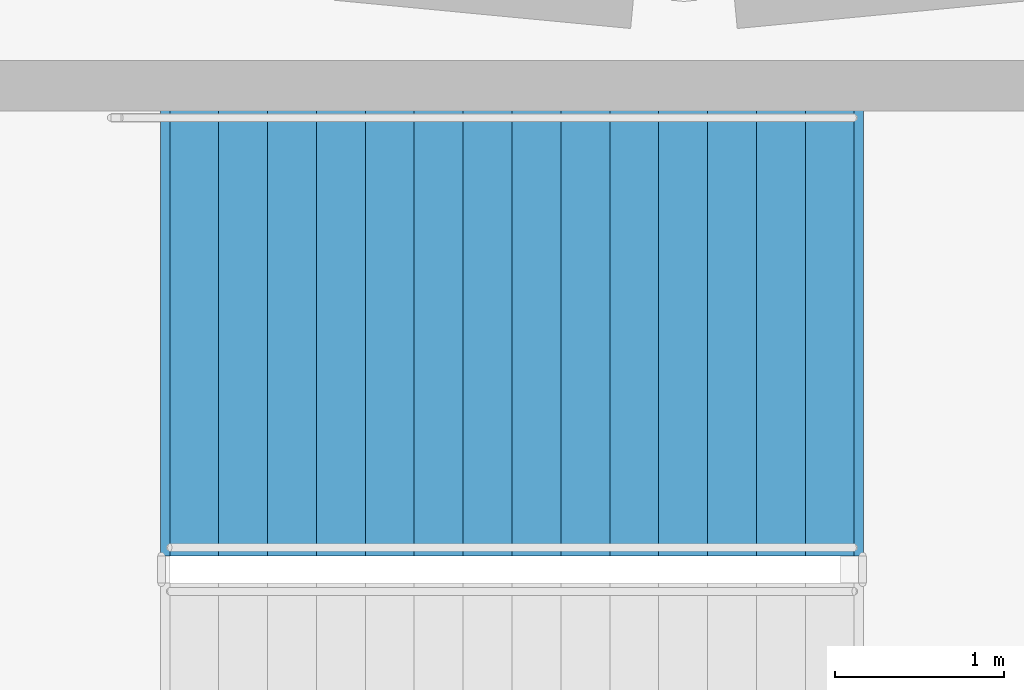
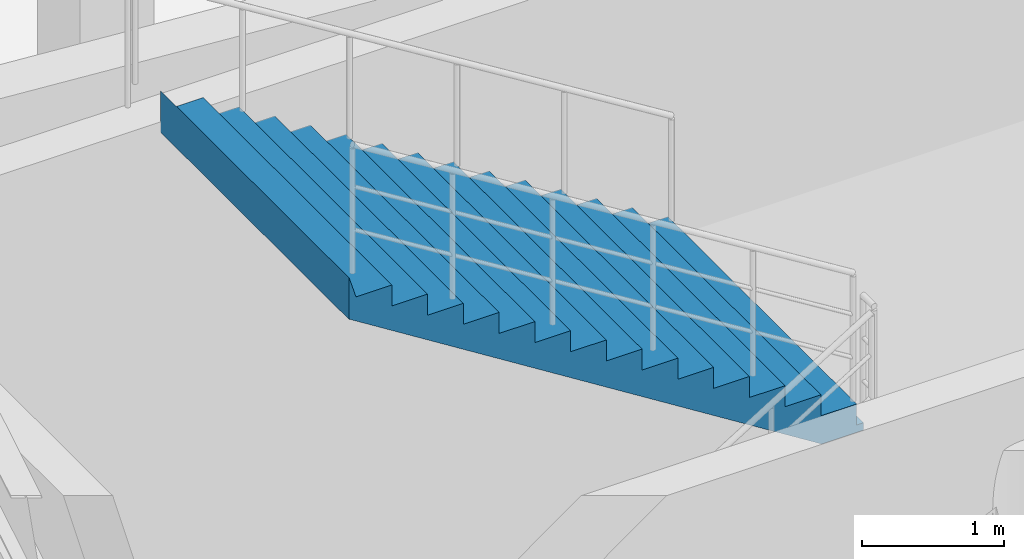
# One storey, part 67 of 93: 1 stair flight, 1 element without a shape of its own.
"""IFC4 building model written with IfcOpenShell, lengths in metres."""

from ifc_helpers import new_model, si_unit, direction, frame, origin, place, context, subcontext, project, spatial, polyline, outline, extrude, material, type_object, element, aggregate, save


model = new_model("IFC4")

# Units and contexts
model_context = context("Model", 3, precision=1e-05, world=origin(), true_north=direction((0.0, 1.0)))
body_context = subcontext(model_context, "Body", "Model", "MODEL_VIEW")
ifc_project = project(units=[si_unit("LENGTHUNIT", "METRE"), si_unit("AREAUNIT", "SQUARE_METRE"), si_unit("VOLUMEUNIT", "CUBIC_METRE"), si_unit("PLANEANGLEUNIT", "RADIAN"), si_unit("MASSUNIT", "GRAM", prefix="KILO")], contexts=[model_context])

# Site, building, storey
site_placement = place(None, origin())
site = spatial("IfcSite", under=ifc_project, at=site_placement, CompositionType="ELEMENT")
building_placement = place(site_placement, origin())
building = spatial("IfcBuilding", under=site, at=building_placement, Name="Cinderbank Siding Concert Hall", CompositionType="ELEMENT")
storey_placement = place(building_placement, origin())
storey = spatial("IfcBuildingStorey", under=building, at=storey_placement, Name="L01", CompositionType="ELEMENT", Elevation=0.0)

# Stair, stair flight
ifc_material = material(Name="Reinforced concrete AS 3600 N50 (50 MPa)", Category="concrete")
stair_type = type_object("IfcStairType", Name="STR-A Dogleg Exit Stair 2650mm", PredefinedType="HALF_TURN_STAIR", material=ifc_material)
stair_placement = place(storey_placement, origin())
stair = element("IfcStair", 1, at=stair_placement, inside=storey, type_object=stair_type, Name="L01 Fire-isolated Exit Stair ST-02", PredefinedType="HALF_TURN_STAIR")
stair_flight_type = type_object("IfcStairFlightType", Name="SFL-A Concrete Stair Flight 2650mm", PredefinedType="STRAIGHT", material=ifc_material)
stair_flight_placement = place(storey_placement, frame((123.010009765625, 27.8349609375, 2.699951171875), z_axis=(0.0, 0.0, 1.0), x_axis=(-1.0, 0.0, 0.0)))
stair_flight = element("IfcStairFlight", 2, at=stair_flight_placement, type_object=stair_flight_type, Name="ST-02 flight 2", NumberOfRisers=15, NumberOfTreads=14, PredefinedType="STRAIGHT", RiserHeight=0.18, TreadLength=0.29, context=body_context, shape_type="SweptSolid", body=[
    extrude(outline(polyline([(0.0, 0.0), (0.0, 0.179931640625), (0.2900390625, 0.179931640625), (0.2900390625, 0.360107421875), (0.580078125, 0.360107421875), (0.580078125, 0.5400390625), (0.8701171875, 0.5400390625), (0.8701171875, 0.719970703125), (1.159912109375, 0.719970703125), (1.159912109375, 0.89990234375), (1.449951171875, 0.89990234375), (1.449951171875, 1.080078125), (1.739990234375, 1.080078125), (1.739990234375, 1.260009765625), (2.030029296875, 1.260009765625), (2.030029296875, 1.43994140625), (2.320068359375, 1.43994140625), (2.320068359375, 1.6201171875), (2.610107421875, 1.6201171875), (2.610107421875, 1.800048828125), (2.89990234375, 1.800048828125), (2.89990234375, 1.97998046875), (3.18994140625, 1.97998046875), (3.18994140625, 2.159912109375), (3.47998046875, 2.159912109375), (3.47998046875, 2.340087890625), (3.77001953125, 2.340087890625), (3.77001953125, 2.52001953125), (4.06005859375, 2.52001953125), (4.114990234375, 2.699951171875), (4.114990234375, 2.343505859375), (4.11474609375, 2.34375), (4.11474609375, 2.343994140625), (4.11474609375, 2.34423828125), (4.11474609375, 2.344482421875), (4.11474609375, 2.3447265625), (4.11474609375, 2.344970703125), (4.11474609375, 2.34521484375), (4.11474609375, 2.345458984375), (4.11474609375, 2.345703125), (4.11474609375, 2.345947265625), (4.11474609375, 2.34619140625), (4.11474609375, 2.346435546875), (4.114501953125, 2.346435546875), (4.114501953125, 2.34619140625), (4.114501953125, 2.345947265625), (4.114501953125, 2.345703125), (4.114501953125, 2.345458984375), (4.114501953125, 2.34521484375), (4.114501953125, 2.344970703125), (4.114501953125, 2.3447265625), (4.114501953125, 2.344482421875), (4.114501953125, 2.34423828125), (4.114501953125, 2.343994140625), (4.114501953125, 2.34375), (4.114501953125, 2.343505859375), (4.1142578125, 2.34375), (4.1142578125, 2.343994140625), (4.1142578125, 2.34423828125), (4.1142578125, 2.344482421875), (4.1142578125, 2.3447265625), (4.1142578125, 2.344970703125), (4.1142578125, 2.34521484375), (4.1142578125, 2.345458984375), (4.1142578125, 2.345703125), (4.1142578125, 2.345947265625), (4.1142578125, 2.34619140625), (4.1142578125, 2.346435546875), (4.114013671875, 2.346435546875), (4.114013671875, 2.34619140625), (4.114013671875, 2.345947265625), (4.114013671875, 2.345703125), (4.114013671875, 2.345458984375), (4.114013671875, 2.34521484375), (4.114013671875, 2.344970703125), (4.114013671875, 2.3447265625), (4.114013671875, 2.344482421875), (4.114013671875, 2.34423828125), (4.114013671875, 2.343994140625), (4.114013671875, 2.34375), (4.114013671875, 2.343505859375), (4.11376953125, 2.34375), (4.11376953125, 2.343994140625), (4.11376953125, 2.34423828125), (4.11376953125, 2.344482421875), (4.11376953125, 2.3447265625), (4.11376953125, 2.344970703125), (4.11376953125, 2.34521484375), (4.11376953125, 2.345458984375), (4.11376953125, 2.345703125), (4.11376953125, 2.345947265625), (4.11376953125, 2.34619140625), (4.11376953125, 2.346435546875), (4.113525390625, 2.346435546875), (4.113525390625, 2.34619140625), (4.113525390625, 2.345947265625), (4.113525390625, 2.345703125), (4.113525390625, 2.345458984375), (4.113525390625, 2.34521484375), (4.113525390625, 2.344970703125), (4.113525390625, 2.3447265625), (4.113525390625, 2.344482421875), (4.113525390625, 2.34423828125), (4.113525390625, 2.343994140625), (4.113525390625, 2.34375), (4.113525390625, 2.343505859375), (4.11328125, 2.34375), (4.11328125, 2.343994140625), (4.11328125, 2.34423828125), (4.11328125, 2.344482421875), (4.11328125, 2.3447265625), (4.11328125, 2.344970703125), (4.11328125, 2.34521484375), (4.11328125, 2.345458984375), (4.11328125, 2.345703125), (4.11328125, 2.345947265625), (4.11328125, 2.34619140625), (4.11328125, 2.346435546875), (4.113037109375, 2.346435546875), (4.113037109375, 2.34619140625), (4.113037109375, 2.345947265625), (4.113037109375, 2.345703125), (4.113037109375, 2.345458984375), (4.113037109375, 2.34521484375), (4.113037109375, 2.344970703125), (4.113037109375, 2.3447265625), (4.113037109375, 2.344482421875), (4.113037109375, 2.34423828125), (4.113037109375, 2.343994140625), (4.113037109375, 2.34375), (4.113037109375, 2.343505859375), (4.11279296875, 2.34375), (4.11279296875, 2.343994140625), (4.11279296875, 2.34423828125), (4.11279296875, 2.344482421875), (4.11279296875, 2.3447265625), (4.11279296875, 2.344970703125), (4.11279296875, 2.34521484375), (4.11279296875, 2.345458984375), (4.11279296875, 2.345703125), (4.11279296875, 2.345947265625), (4.11279296875, 2.34619140625), (4.11279296875, 2.346435546875), (4.112548828125, 2.346435546875), (4.112548828125, 2.34619140625), (4.112548828125, 2.345947265625), (4.112548828125, 2.345703125), (4.112548828125, 2.345458984375), (4.112548828125, 2.34521484375), (4.112548828125, 2.344970703125), (4.112548828125, 2.3447265625), (4.112548828125, 2.344482421875), (4.112548828125, 2.34423828125), (4.112548828125, 2.343994140625), (4.112548828125, 2.34375), (4.112548828125, 2.343505859375), (4.1123046875, 2.34375), (4.1123046875, 2.343994140625), (4.1123046875, 2.34423828125), (4.1123046875, 2.344482421875), (4.1123046875, 2.3447265625), (4.1123046875, 2.344970703125), (4.1123046875, 2.34521484375), (4.1123046875, 2.345458984375), (4.1123046875, 2.345703125), (4.1123046875, 2.345947265625), (4.1123046875, 2.34619140625), (4.1123046875, 2.346435546875), (4.112060546875, 2.346435546875), (4.112060546875, 2.34619140625), (4.112060546875, 2.345947265625), (4.112060546875, 2.345703125), (4.112060546875, 2.345458984375), (4.112060546875, 2.34521484375), (4.112060546875, 2.344970703125), (4.112060546875, 2.3447265625), (4.112060546875, 2.344482421875), (4.112060546875, 2.34423828125), (4.112060546875, 2.343994140625), (4.112060546875, 2.34375), (4.112060546875, 2.343505859375), (4.11181640625, 2.34375), (4.11181640625, 2.343994140625), (4.11181640625, 2.34423828125), (4.11181640625, 2.344482421875), (4.11181640625, 2.3447265625), (4.11181640625, 2.344970703125), (4.11181640625, 2.34521484375), (4.11181640625, 2.345458984375), (4.11181640625, 2.345703125), (4.11181640625, 2.345947265625), (4.11181640625, 2.34619140625), (4.11181640625, 2.346435546875), (4.111572265625, 2.346435546875), (4.111572265625, 2.34619140625), (4.111572265625, 2.345947265625), (4.111572265625, 2.345703125), (4.111572265625, 2.345458984375), (4.111572265625, 2.34521484375), (4.111572265625, 2.344970703125), (4.111572265625, 2.3447265625), (4.111572265625, 2.344482421875), (4.111572265625, 2.34423828125), (4.111572265625, 2.343994140625), (4.111572265625, 2.34375), (4.111572265625, 2.343505859375), (4.111328125, 2.34375), (4.111328125, 2.343994140625), (4.111328125, 2.34423828125), (4.111328125, 2.344482421875), (4.111328125, 2.3447265625), (4.111328125, 2.344970703125), (4.111328125, 2.34521484375), (4.111328125, 2.345458984375), (4.111328125, 2.345703125), (4.111328125, 2.345947265625), (4.111328125, 2.34619140625), (4.111328125, 2.346435546875), (4.111083984375, 2.346435546875), (4.111083984375, 2.34619140625), (4.111083984375, 2.345947265625), (4.111083984375, 2.345703125), (4.111083984375, 2.345458984375), (4.111083984375, 2.34521484375), (4.111083984375, 2.344970703125), (4.111083984375, 2.3447265625), (4.111083984375, 2.344482421875), (4.111083984375, 2.34423828125), (4.111083984375, 2.343994140625), (4.111083984375, 2.34375), (4.111083984375, 2.343505859375), (4.11083984375, 2.34375), (4.11083984375, 2.343994140625), (4.11083984375, 2.34423828125), (4.11083984375, 2.344482421875), (4.11083984375, 2.3447265625), (4.11083984375, 2.344970703125), (4.11083984375, 2.34521484375), (4.11083984375, 2.345458984375), (4.11083984375, 2.345703125), (4.11083984375, 2.345947265625), (4.11083984375, 2.34619140625), (4.11083984375, 2.346435546875), (4.110595703125, 2.346435546875), (4.110595703125, 2.34619140625), (4.110595703125, 2.345947265625), (4.110595703125, 2.345703125), (4.110595703125, 2.345458984375), (4.110595703125, 2.34521484375), (4.110595703125, 2.344970703125), (4.110595703125, 2.3447265625), (4.110595703125, 2.344482421875), (4.110595703125, 2.34423828125), (4.110595703125, 2.343994140625), (4.110595703125, 2.34375), (4.110595703125, 2.343505859375), (4.1103515625, 2.34375), (4.1103515625, 2.343994140625), (4.1103515625, 2.34423828125), (4.1103515625, 2.344482421875), (4.1103515625, 2.3447265625), (4.1103515625, 2.344970703125), (4.1103515625, 2.34521484375), (4.1103515625, 2.345458984375), (4.1103515625, 2.345703125), (4.1103515625, 2.345947265625), (4.1103515625, 2.34619140625), (4.1103515625, 2.346435546875), (4.110107421875, 2.346435546875), (4.110107421875, 2.34619140625), (4.110107421875, 2.345947265625), (4.110107421875, 2.345703125), (4.110107421875, 2.345458984375), (4.110107421875, 2.34521484375), (4.110107421875, 2.344970703125), (4.110107421875, 2.3447265625), (4.110107421875, 2.344482421875), (4.110107421875, 2.34423828125), (4.110107421875, 2.343994140625), (4.110107421875, 2.34375), (4.110107421875, 2.343505859375), (4.10986328125, 2.34375), (4.10986328125, 2.343994140625), (4.10986328125, 2.34423828125), (4.10986328125, 2.344482421875), (4.10986328125, 2.3447265625), (4.10986328125, 2.344970703125), (4.10986328125, 2.34521484375), (4.10986328125, 2.345458984375), (4.10986328125, 2.345703125), (4.10986328125, 2.345947265625), (4.10986328125, 2.34619140625), (4.10986328125, 2.346435546875), (4.109619140625, 2.346435546875), (4.109619140625, 2.34619140625), (4.109619140625, 2.345947265625), (4.109619140625, 2.345703125), (4.109619140625, 2.345458984375), (4.109619140625, 2.34521484375), (4.109619140625, 2.344970703125), (4.109619140625, 2.3447265625), (4.109619140625, 2.344482421875), (4.109619140625, 2.34423828125), (4.109619140625, 2.343994140625), (4.109619140625, 2.34375), (4.109619140625, 2.343505859375), (4.109375, 2.34375), (4.109375, 2.343994140625), (4.109375, 2.34423828125), (4.109375, 2.344482421875), (4.109375, 2.3447265625), (4.109375, 2.344970703125), (4.109375, 2.34521484375), (4.109375, 2.345458984375), (4.109375, 2.345703125), (4.109375, 2.345947265625), (4.109375, 2.34619140625), (4.109375, 2.346435546875), (4.109130859375, 2.346435546875), (4.109130859375, 2.34619140625), (4.109130859375, 2.345947265625), (4.109130859375, 2.345703125), (4.109130859375, 2.345458984375), (4.109130859375, 2.34521484375), (4.109130859375, 2.344970703125), (4.109130859375, 2.3447265625), (4.109130859375, 2.344482421875), (4.109130859375, 2.34423828125), (4.109130859375, 2.343994140625), (4.109130859375, 2.34375), (4.109130859375, 2.343505859375), (4.10888671875, 2.34375), (4.10888671875, 2.343994140625), (4.10888671875, 2.34423828125), (4.10888671875, 2.344482421875), (4.10888671875, 2.3447265625), (4.10888671875, 2.344970703125), (4.10888671875, 2.34521484375), (4.10888671875, 2.345458984375), (4.10888671875, 2.345703125), (4.10888671875, 2.345947265625), (4.10888671875, 2.34619140625), (4.10888671875, 2.346435546875), (4.108642578125, 2.346435546875), (4.108642578125, 2.34619140625), (4.108642578125, 2.345947265625), (4.108642578125, 2.345703125), (4.108642578125, 2.345458984375), (4.108642578125, 2.34521484375), (4.108642578125, 2.344970703125), (4.108642578125, 2.3447265625), (4.108642578125, 2.344482421875), (4.108642578125, 2.34423828125), (4.108642578125, 2.343994140625), (4.108642578125, 2.34375), (4.108642578125, 2.343505859375), (0.2841796875, -0.06396484375), (-0.048583984375, -0.063720703125), (-0.048583984375, -0.0634765625), (-0.048583984375, -0.063232421875), (-0.048583984375, -0.06298828125), (-0.048583984375, -0.062744140625), (-0.048583984375, -0.0625), (-0.048583984375, -0.062255859375), (-0.048583984375, -0.06201171875), (-0.048583984375, -0.061767578125), (-0.048583984375, -0.0615234375), (-0.048583984375, -0.061279296875), (-0.048583984375, -0.06103515625), (-0.048828125, -0.06103515625), (-0.048828125, -0.061279296875), (-0.048828125, -0.0615234375), (-0.048828125, -0.061767578125), (-0.048828125, -0.06201171875), (-0.048828125, -0.062255859375), (-0.048828125, -0.0625), (-0.048828125, -0.062744140625), (-0.048828125, -0.06298828125), (-0.048828125, -0.063232421875), (-0.048828125, -0.0634765625), (-0.048828125, -0.063720703125), (-0.048828125, -0.06396484375), (-0.049072265625, -0.063720703125), (-0.049072265625, -0.0634765625), (-0.049072265625, -0.063232421875), (-0.049072265625, -0.06298828125), (-0.049072265625, -0.062744140625), (-0.049072265625, -0.0625), (-0.049072265625, -0.062255859375), (-0.049072265625, -0.06201171875), (-0.049072265625, -0.061767578125), (-0.049072265625, -0.0615234375), (-0.049072265625, -0.061279296875), (-0.049072265625, -0.06103515625), (-0.04931640625, -0.06103515625), (-0.04931640625, -0.061279296875), (-0.04931640625, -0.0615234375), (-0.04931640625, -0.061767578125), (-0.04931640625, -0.06201171875), (-0.04931640625, -0.062255859375), (-0.04931640625, -0.0625), (-0.04931640625, -0.062744140625), (-0.04931640625, -0.06298828125), (-0.04931640625, -0.063232421875), (-0.04931640625, -0.0634765625), (-0.04931640625, -0.063720703125), (-0.04931640625, -0.06396484375), (-0.049560546875, -0.063720703125), (-0.049560546875, -0.0634765625), (-0.049560546875, -0.063232421875), (-0.049560546875, -0.06298828125), (-0.049560546875, -0.062744140625), (-0.049560546875, -0.0625), (-0.049560546875, -0.062255859375), (-0.049560546875, -0.06201171875), (-0.049560546875, -0.061767578125), (-0.049560546875, -0.0615234375), (-0.049560546875, -0.061279296875), (-0.049560546875, -0.06103515625), (-0.0498046875, -0.06103515625), (-0.0498046875, -0.061279296875), (-0.0498046875, -0.0615234375), (-0.0498046875, -0.061767578125), (-0.0498046875, -0.06201171875), (-0.0498046875, -0.062255859375), (-0.0498046875, -0.0625), (-0.0498046875, -0.062744140625), (-0.0498046875, -0.06298828125), (-0.0498046875, -0.063232421875), (-0.0498046875, -0.0634765625), (-0.0498046875, -0.063720703125), (-0.0498046875, -0.06396484375), (-0.050048828125, -0.063720703125), (-0.050048828125, -0.0634765625), (-0.050048828125, -0.063232421875), (-0.050048828125, -0.06298828125), (-0.050048828125, -0.062744140625), (-0.050048828125, -0.0625), (-0.050048828125, -0.062255859375), (-0.050048828125, -0.06201171875), (-0.050048828125, -0.061767578125), (-0.050048828125, -0.0615234375), (-0.050048828125, -0.061279296875), (-0.050048828125, -0.06103515625), (-0.05029296875, -0.06103515625), (-0.05029296875, -0.061279296875), (-0.05029296875, -0.0615234375), (-0.05029296875, -0.061767578125), (-0.05029296875, -0.06201171875), (-0.05029296875, -0.062255859375), (-0.05029296875, -0.0625), (-0.05029296875, -0.062744140625), (-0.05029296875, -0.06298828125), (-0.05029296875, -0.063232421875), (-0.05029296875, -0.0634765625), (-0.05029296875, -0.063720703125), (-0.05029296875, -0.06396484375), (-0.050537109375, -0.063720703125), (-0.050537109375, -0.0634765625), (-0.050537109375, -0.063232421875), (-0.050537109375, -0.06298828125), (-0.050537109375, -0.062744140625), (-0.050537109375, -0.0625), (-0.050537109375, -0.062255859375), (-0.050537109375, -0.06201171875), (-0.050537109375, -0.061767578125), (-0.050537109375, -0.0615234375), (-0.050537109375, -0.061279296875), (-0.050537109375, -0.06103515625), (-0.05078125, -0.06103515625), (-0.05078125, -0.061279296875), (-0.05078125, -0.0615234375), (-0.05078125, -0.061767578125), (-0.05078125, -0.06201171875), (-0.05078125, -0.062255859375), (-0.05078125, -0.0625), (-0.05078125, -0.062744140625), (-0.05078125, -0.06298828125), (-0.05078125, -0.063232421875), (-0.05078125, -0.0634765625), (-0.05078125, -0.063720703125), (-0.05078125, -0.06396484375), (-0.051025390625, -0.063720703125), (-0.051025390625, -0.0634765625), (-0.051025390625, -0.063232421875), (-0.051025390625, -0.06298828125), (-0.051025390625, -0.062744140625), (-0.051025390625, -0.0625), (-0.051025390625, -0.062255859375), (-0.051025390625, -0.06201171875), (-0.051025390625, -0.061767578125), (-0.051025390625, -0.0615234375), (-0.051025390625, -0.061279296875), (-0.051025390625, -0.06103515625), (-0.05126953125, -0.06103515625), (-0.05126953125, -0.061279296875), (-0.05126953125, -0.0615234375), (-0.05126953125, -0.061767578125), (-0.05126953125, -0.06201171875), (-0.05126953125, -0.062255859375), (-0.05126953125, -0.0625), (-0.05126953125, -0.062744140625), (-0.05126953125, -0.06298828125), (-0.05126953125, -0.063232421875), (-0.05126953125, -0.0634765625), (-0.05126953125, -0.063720703125), (-0.05126953125, -0.06396484375), (-0.051513671875, -0.063720703125), (-0.051513671875, -0.0634765625), (-0.051513671875, -0.063232421875), (-0.051513671875, -0.06298828125), (-0.051513671875, -0.062744140625), (-0.051513671875, -0.0625), (-0.051513671875, -0.062255859375), (-0.051513671875, -0.06201171875), (-0.051513671875, -0.061767578125), (-0.051513671875, -0.0615234375), (-0.051513671875, -0.061279296875), (-0.051513671875, -0.06103515625), (-0.0517578125, -0.06103515625), (-0.0517578125, -0.061279296875), (-0.0517578125, -0.0615234375), (-0.0517578125, -0.061767578125), (-0.0517578125, -0.06201171875), (-0.0517578125, -0.062255859375), (-0.0517578125, -0.0625), (-0.0517578125, -0.062744140625), (-0.0517578125, -0.06298828125), (-0.0517578125, -0.063232421875), (-0.0517578125, -0.0634765625), (-0.0517578125, -0.063720703125), (-0.0517578125, -0.06396484375), (-0.052001953125, -0.063720703125), (-0.052001953125, -0.0634765625), (-0.052001953125, -0.063232421875), (-0.052001953125, -0.06298828125), (-0.052001953125, -0.062744140625), (-0.052001953125, -0.0625), (-0.052001953125, -0.062255859375), (-0.052001953125, -0.06201171875), (-0.052001953125, -0.061767578125), (-0.052001953125, -0.0615234375), (-0.052001953125, -0.061279296875), (-0.052001953125, -0.06103515625), (-0.05224609375, -0.06103515625), (-0.05224609375, -0.061279296875), (-0.05224609375, -0.0615234375), (-0.05224609375, -0.061767578125), (-0.05224609375, -0.06201171875), (-0.05224609375, -0.062255859375), (-0.05224609375, -0.0625), (-0.05224609375, -0.062744140625), (-0.05224609375, -0.06298828125), (-0.05224609375, -0.063232421875), (-0.05224609375, -0.0634765625), (-0.05224609375, -0.063720703125), (-0.05224609375, -0.06396484375), (-0.052490234375, -0.063720703125), (-0.052490234375, -0.0634765625), (-0.052490234375, -0.063232421875), (-0.052490234375, -0.06298828125), (-0.052490234375, -0.062744140625), (-0.052490234375, -0.0625), (-0.052490234375, -0.062255859375), (-0.052490234375, -0.06201171875), (-0.052490234375, -0.061767578125), (-0.052490234375, -0.0615234375), (-0.052490234375, -0.061279296875), (-0.052490234375, -0.06103515625), (-0.052734375, -0.06103515625), (-0.052734375, -0.061279296875), (-0.052734375, -0.0615234375), (-0.052734375, -0.061767578125), (-0.052734375, -0.06201171875), (-0.052734375, -0.062255859375), (-0.052734375, -0.0625), (-0.052734375, -0.062744140625), (-0.052734375, -0.06298828125), (-0.052734375, -0.063232421875), (-0.052734375, -0.0634765625), (-0.052734375, -0.063720703125), (-0.052734375, -0.06396484375), (-0.052978515625, -0.063720703125), (-0.052978515625, -0.0634765625), (-0.052978515625, -0.063232421875), (-0.052978515625, -0.06298828125), (-0.052978515625, -0.062744140625), (-0.052978515625, -0.0625), (-0.052978515625, -0.062255859375), (-0.052978515625, -0.06201171875), (-0.052978515625, -0.061767578125), (-0.052978515625, -0.0615234375), (-0.052978515625, -0.061279296875), (-0.052978515625, -0.06103515625), (-0.05322265625, -0.06103515625), (-0.05322265625, -0.061279296875), (-0.05322265625, -0.0615234375), (-0.05322265625, -0.061767578125), (-0.05322265625, -0.06201171875), (-0.05322265625, -0.062255859375), (-0.05322265625, -0.0625), (-0.05322265625, -0.062744140625), (-0.05322265625, -0.06298828125), (-0.05322265625, -0.063232421875), (-0.05322265625, -0.0634765625), (-0.05322265625, -0.063720703125), (-0.05322265625, -0.06396484375), (-0.053466796875, -0.063720703125), (-0.053466796875, -0.0634765625), (-0.053466796875, -0.063232421875), (-0.053466796875, -0.06298828125), (-0.053466796875, -0.062744140625), (-0.053466796875, -0.0625), (-0.053466796875, -0.062255859375), (-0.053466796875, -0.06201171875), (-0.053466796875, -0.061767578125), (-0.053466796875, -0.0615234375), (-0.053466796875, -0.061279296875), (-0.053466796875, -0.06103515625), (-0.0537109375, -0.06103515625), (-0.0537109375, -0.061279296875), (-0.0537109375, -0.0615234375), (-0.0537109375, -0.061767578125), (-0.0537109375, -0.06201171875), (-0.0537109375, -0.062255859375), (-0.0537109375, -0.0625), (-0.0537109375, -0.062744140625), (-0.0537109375, -0.06298828125), (-0.0537109375, -0.063232421875), (-0.0537109375, -0.0634765625), (-0.0537109375, -0.063720703125), (-0.0537109375, -0.06396484375), (-0.053955078125, -0.063720703125), (-0.053955078125, -0.0634765625), (-0.053955078125, -0.063232421875), (-0.053955078125, -0.06298828125), (-0.053955078125, -0.062744140625), (-0.053955078125, -0.0625), (-0.053955078125, -0.062255859375), (-0.053955078125, -0.06201171875), (-0.053955078125, -0.061767578125), (-0.053955078125, -0.0615234375), (-0.053955078125, -0.061279296875), (-0.053955078125, -0.06103515625), (-0.05419921875, -0.06103515625), (-0.05419921875, -0.061279296875), (-0.05419921875, -0.0615234375), (-0.05419921875, -0.061767578125), (-0.05419921875, -0.06201171875), (-0.05419921875, -0.062255859375), (-0.05419921875, -0.0625), (-0.05419921875, -0.062744140625), (-0.05419921875, -0.06298828125), (-0.05419921875, -0.063232421875), (-0.05419921875, -0.0634765625), (-0.05419921875, -0.063720703125), (-0.05419921875, -0.06396484375), (-0.054443359375, -0.063720703125), (-0.054443359375, -0.0634765625), (-0.054443359375, -0.063232421875), (-0.054443359375, -0.06298828125), (-0.054443359375, -0.062744140625), (-0.054443359375, -0.0625), (-0.054443359375, -0.062255859375), (-0.054443359375, -0.06201171875), (-0.054443359375, -0.061767578125), (-0.054443359375, -0.0615234375), (-0.054443359375, -0.061279296875), (-0.054443359375, -0.06103515625), (-0.0546875, -0.06103515625), (-0.0546875, -0.061279296875), (-0.0546875, -0.0615234375), (-0.0546875, -0.061767578125), (-0.0546875, -0.06201171875), (-0.0546875, -0.062255859375), (-0.0546875, -0.0625), (-0.0546875, -0.062744140625), (-0.0546875, -0.06298828125), (-0.0546875, -0.063232421875), (-0.0546875, -0.0634765625), (-0.0546875, -0.063720703125), (-0.0546875, -0.06396484375), (-0.054931640625, -0.06396484375), (-0.054931640625, 0.0), (0.0, 0.0)])), frame((0.0, 1.324951171875, 0.0), z_axis=(0.0, -1.0, 0.0), x_axis=(1.0, 0.0, 0.0)), (0.0, 0.0, 1.0), 2.64990234375),
])
aggregate(stair, [stair_flight])

save(model, "model.ifc")
